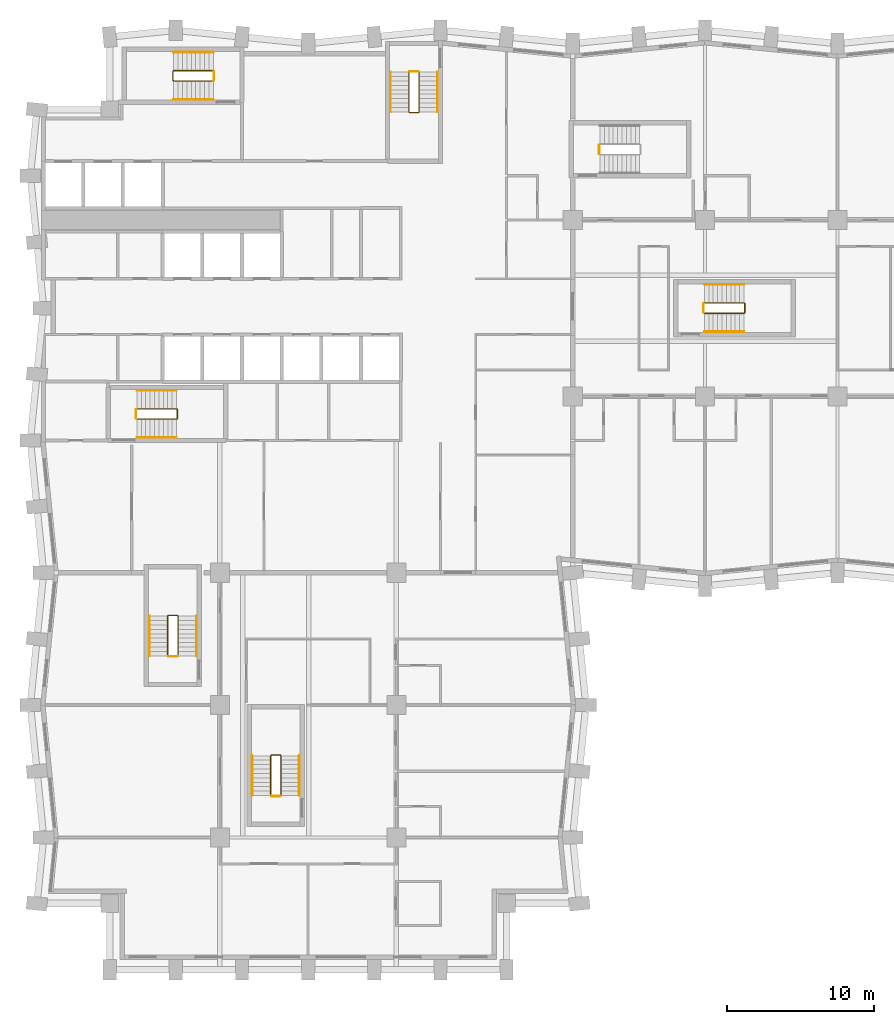
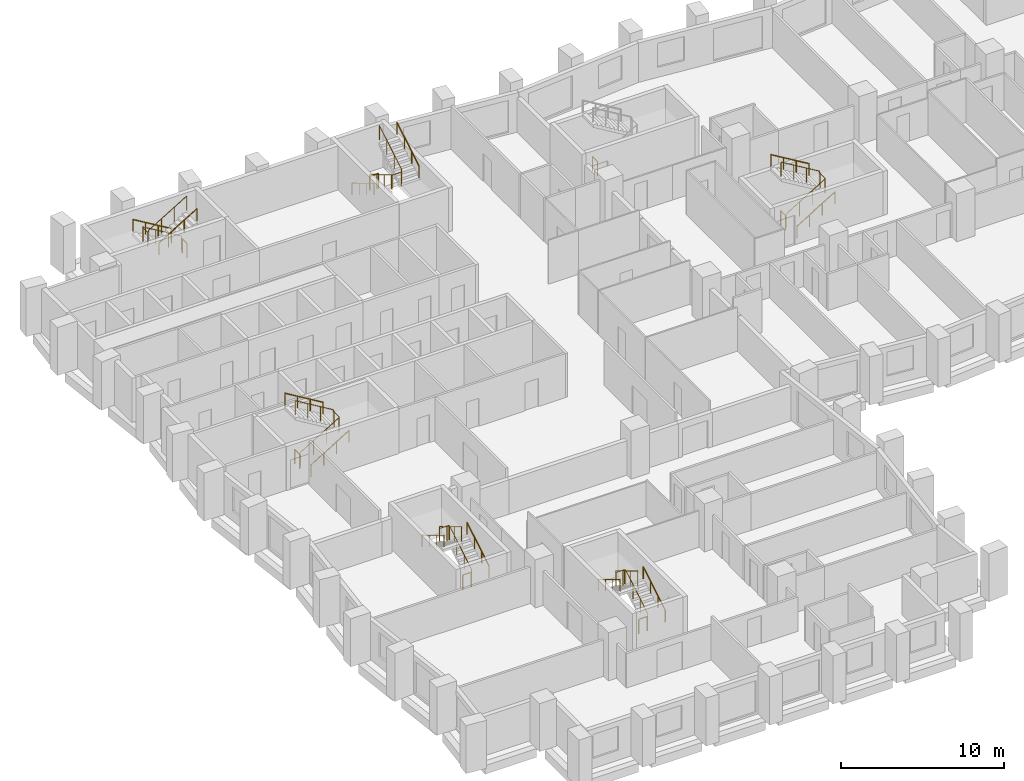
# One storey, part 11 of 12: 25 railings.
"""IFC4 building model written with IfcOpenShell, lengths in metres."""

from ifc_helpers import new_model, si_unit, direction, frame, origin, origin_2d, place, context, subcontext, project, spatial, circle, extrude, material, type_object, element, save


model = new_model("IFC4")

# Units and contexts
model_context = context("Model", 3, precision=1e-05, world=origin(), true_north=direction((0.0, 1.0)))
body_context = subcontext(model_context, "Body", "Model", "MODEL_VIEW")
ifc_project = project(units=[si_unit("LENGTHUNIT", "METRE"), si_unit("AREAUNIT", "SQUARE_METRE"), si_unit("VOLUMEUNIT", "CUBIC_METRE"), si_unit("PLANEANGLEUNIT", "RADIAN"), si_unit("MASSUNIT", "GRAM", prefix="KILO")], contexts=[model_context])

# Site, building, storey
site_placement = place(None, origin())
site = spatial("IfcSite", under=ifc_project, at=site_placement, CompositionType="ELEMENT")
building_placement = place(site_placement, origin())
building = spatial("IfcBuilding", under=site, at=building_placement, Name="Brondeck Convention Tower", CompositionType="ELEMENT")
storey_placement = place(building_placement, frame((0.0, 0.0, 80.699951171875)))
storey = spatial("IfcBuildingStorey", under=building, at=storey_placement, Name="L18", CompositionType="ELEMENT", Elevation=80.699951171875)

# Railings
ifc_material = material(Name="Steel S355", Category="steel")
railing_type_1 = type_object("IfcRailingType", Name="Stair guard 1100", PredefinedType="GUARDRAIL", material=ifc_material)
railing_1_placement = place(storey_placement, frame((6.35009765625, 37.449951171875, 0.179931640625)))
element("IfcRailing", 1, at=railing_1_placement, inside=storey, type_object=railing_type_1, Name="L18 ST-1 stair guard 1", PredefinedType="GUARDRAIL", context=body_context, shape_type="SweptSolid", body=[
    extrude(circle(Radius=0.02392578125, at=origin_2d()), frame((0.0, 0.0, 1.076171875), z_axis=(0.857472400752, 0.0, 0.514529962148), x_axis=(0.0, 1.0, 0.0)), (0.0, 0.0, 1.0), 3.148681640625),
    extrude(circle(Radius=0.02392578125, at=origin_2d()), frame((2.699951171875, 0.0, 2.6962890625), z_axis=(0.707106781187, 0.707106781187, 0.0), x_axis=(-0.707106781187, 0.707106781187, 0.0)), (0.0, 0.0, 1.0), 0.07080078125),
    extrude(circle(Radius=0.02392578125, at=origin_2d()), frame((2.75, 0.050048828125, 2.6962890625), z_axis=(0.0, 1.0, 0.0), x_axis=(-1.0, 0.0, 0.0)), (0.0, 0.0, 1.0), 0.60009765625),
    extrude(circle(Radius=0.02392578125, at=origin_2d()), frame((2.75, 0.650146484375, 2.6962890625), z_axis=(-0.258932105505, 0.257669022063, 0.930892496375), x_axis=(-0.705375805398, -0.708833529934, 0.0)), (0.0, 0.0, 1.0), 0.193359375),
    extrude(circle(Radius=0.02392578125, at=origin_2d()), frame((2.699951171875, 0.699951171875, 2.8759765625), z_axis=(-0.857472400752, 0.0, 0.514529962148), x_axis=(0.0, -1.0, 0.0)), (0.0, 0.0, 1.0), 3.148681640625),
    extrude(circle(Radius=0.02099609375, at=origin_2d()), origin(), (0.0, 0.0, 1.0), 1.052001953125),
    extrude(circle(Radius=0.02099609375, at=origin_2d()), frame((0.89990234375, 0.0, 0.5400390625)), (0.0, 0.0, 1.0), 1.052001953125),
    extrude(circle(Radius=0.02099609375, at=origin_2d()), frame((1.800048828125, 0.0, 1.080078125)), (0.0, 0.0, 1.0), 1.052001953125),
    extrude(circle(Radius=0.02099609375, at=origin_2d()), frame((2.699951171875, 0.0, 1.6201171875)), (0.0, 0.0, 1.0), 1.052001953125),
    extrude(circle(Radius=0.02099609375, at=origin_2d()), frame((2.75, 0.050048828125, 1.6201171875)), (0.0, 0.0, 1.0), 1.052001953125),
    extrude(circle(Radius=0.02099609375, at=origin_2d()), frame((2.75, 0.650146484375, 1.6201171875)), (0.0, 0.0, 1.0), 1.052001953125),
    extrude(circle(Radius=0.02099609375, at=origin_2d()), frame((2.699951171875, 0.699951171875, 1.800048828125)), (0.0, 0.0, 1.0), 1.052001953125),
    extrude(circle(Radius=0.02099609375, at=origin_2d()), frame((1.800048828125, 0.699951171875, 2.340087890625)), (0.0, 0.0, 1.0), 1.052001953125),
    extrude(circle(Radius=0.02099609375, at=origin_2d()), frame((0.89990234375, 0.699951171875, 2.880126953125)), (0.0, 0.0, 1.0), 1.052001953125),
    extrude(circle(Radius=0.02099609375, at=origin_2d()), frame((0.0, 0.699951171875, 3.420166015625)), (0.0, 0.0, 1.0), 1.052001953125),
])
railing_2_placement = place(storey_placement, frame((6.300048828125, 37.5, 0.0)))
element("IfcRailing", 2, at=railing_2_placement, inside=storey, type_object=railing_type_1, Name="L18 ST-1 stair guard 2", PredefinedType="GUARDRAIL", context=body_context, shape_type="SweptSolid", body=[
    extrude(circle(Radius=0.02392578125, at=origin_2d()), frame((0.0, 0.0, 1.076171875), z_axis=(0.0, 1.0, 0.0), x_axis=(-1.0, 0.0, 0.0)), (0.0, 0.0, 1.0), 0.60009765625),
    extrude(circle(Radius=0.02099609375, at=origin_2d()), origin(), (0.0, 0.0, 1.0), 1.052001953125),
    extrude(circle(Radius=0.02099609375, at=origin_2d()), frame((0.0, 0.60009765625, 0.0)), (0.0, 0.0, 1.0), 1.052001953125),
])
railing_3_placement = place(storey_placement, frame((24.85009765625, 61.050048828125, 0.179931640625)))
element("IfcRailing", 3, at=railing_3_placement, inside=storey, type_object=railing_type_1, Name="L18 ST-2 stair guard 1", PredefinedType="GUARDRAIL", context=body_context, shape_type="SweptSolid", body=[
    extrude(circle(Radius=0.02392578125, at=origin_2d()), frame((0.0, 0.0, 1.076171875), z_axis=(0.0, -0.857472400752, 0.514529962148), x_axis=(1.0, 0.0, 0.0)), (0.0, 0.0, 1.0), 3.148681640625),
    extrude(circle(Radius=0.02392578125, at=origin_2d()), frame((0.0, -2.699951171875, 2.6962890625), z_axis=(0.705375805398, -0.708833529934, 0.0), x_axis=(0.708833529934, 0.705375805398, 0.0)), (0.0, 0.0, 1.0), 0.070556640625),
    extrude(circle(Radius=0.02392578125, at=origin_2d()), frame((0.0498046875, -2.75, 2.6962890625), z_axis=(1.0, 0.0, 0.0), x_axis=(0.0, 1.0, 0.0)), (0.0, 0.0, 1.0), 0.60009765625),
    extrude(circle(Radius=0.02392578125, at=origin_2d()), frame((0.64990234375, -2.75, 2.6962890625), z_axis=(0.258847668887, 0.258847668887, 0.930588936439), x_axis=(-0.707106781187, 0.707106781187, 0.0)), (0.0, 0.0, 1.0), 0.193359375),
    extrude(circle(Radius=0.02392578125, at=origin_2d()), frame((0.699951171875, -2.699951171875, 2.8759765625), z_axis=(0.0, 0.857472400752, 0.514529962148), x_axis=(-1.0, 0.0, 0.0)), (0.0, 0.0, 1.0), 3.148681640625),
    extrude(circle(Radius=0.02099609375, at=origin_2d()), origin(), (0.0, 0.0, 1.0), 1.052001953125),
    extrude(circle(Radius=0.02099609375, at=origin_2d()), frame((0.0, -0.89990234375, 0.5400390625)), (0.0, 0.0, 1.0), 1.052001953125),
    extrude(circle(Radius=0.02099609375, at=origin_2d()), frame((0.0, -1.800048828125, 1.080078125)), (0.0, 0.0, 1.0), 1.052001953125),
    extrude(circle(Radius=0.02099609375, at=origin_2d()), frame((0.0, -2.699951171875, 1.6201171875)), (0.0, 0.0, 1.0), 1.052001953125),
    extrude(circle(Radius=0.02099609375, at=origin_2d()), frame((0.0498046875, -2.75, 1.6201171875)), (0.0, 0.0, 1.0), 1.052001953125),
    extrude(circle(Radius=0.02099609375, at=origin_2d()), frame((0.64990234375, -2.75, 1.6201171875)), (0.0, 0.0, 1.0), 1.052001953125),
    extrude(circle(Radius=0.02099609375, at=origin_2d()), frame((0.699951171875, -2.699951171875, 1.800048828125)), (0.0, 0.0, 1.0), 1.052001953125),
    extrude(circle(Radius=0.02099609375, at=origin_2d()), frame((0.699951171875, -1.800048828125, 2.340087890625)), (0.0, 0.0, 1.0), 1.052001953125),
    extrude(circle(Radius=0.02099609375, at=origin_2d()), frame((0.699951171875, -0.89990234375, 2.880126953125)), (0.0, 0.0, 1.0), 1.052001953125),
    extrude(circle(Radius=0.02099609375, at=origin_2d()), frame((0.699951171875, 0.0, 3.420166015625)), (0.0, 0.0, 1.0), 1.052001953125),
])
railing_4_placement = place(storey_placement, frame((24.89990234375, 61.10009765625, 0.0)))
element("IfcRailing", 4, at=railing_4_placement, inside=storey, type_object=railing_type_1, Name="L18 ST-2 stair guard 2", PredefinedType="GUARDRAIL", context=body_context, shape_type="SweptSolid", body=[
    extrude(circle(Radius=0.02392578125, at=origin_2d()), frame((0.0, 0.0, 1.076171875), z_axis=(1.0, 0.0, 0.0), x_axis=(0.0, 1.0, 0.0)), (0.0, 0.0, 1.0), 0.60009765625),
    extrude(circle(Radius=0.02099609375, at=origin_2d()), origin(), (0.0, 0.0, 1.0), 1.052001953125),
    extrude(circle(Radius=0.02099609375, at=origin_2d()), frame((0.60009765625, 0.0, 0.0)), (0.0, 0.0, 1.0), 1.052001953125),
])
railing_5_placement = place(storey_placement, frame((11.550048828125, 61.14990234375, 0.179931640625)))
element("IfcRailing", 5, at=railing_5_placement, inside=storey, type_object=railing_type_1, Name="L18 ST-3 stair guard 1", PredefinedType="GUARDRAIL", context=body_context, shape_type="SweptSolid", body=[
    extrude(circle(Radius=0.02392578125, at=origin_2d()), frame((0.0, 0.0, 1.076171875), z_axis=(-0.857472400752, 0.0, 0.514529962148), x_axis=(0.0, -1.0, 0.0)), (0.0, 0.0, 1.0), 3.148681640625),
    extrude(circle(Radius=0.02392578125, at=origin_2d()), frame((-2.699951171875, 0.0, 2.6962890625), z_axis=(-0.708833529934, -0.705375805398, 0.0), x_axis=(0.705375805398, -0.708833529934, 0.0)), (0.0, 0.0, 1.0), 0.070556640625),
    extrude(circle(Radius=0.02392578125, at=origin_2d()), frame((-2.75, -0.0498046875, 2.6962890625), z_axis=(0.0, -1.0, 0.0), x_axis=(1.0, 0.0, 0.0)), (0.0, 0.0, 1.0), 0.60009765625),
    extrude(circle(Radius=0.02392578125, at=origin_2d()), frame((-2.75, -0.64990234375, 2.6962890625), z_axis=(0.258847668887, -0.258847668887, 0.930588936439), x_axis=(0.707106781187, 0.707106781187, 0.0)), (0.0, 0.0, 1.0), 0.193359375),
    extrude(circle(Radius=0.02392578125, at=origin_2d()), frame((-2.699951171875, -0.699951171875, 2.8759765625), z_axis=(0.857472400752, 0.0, 0.514529962148), x_axis=(0.0, 1.0, 0.0)), (0.0, 0.0, 1.0), 3.148681640625),
    extrude(circle(Radius=0.02099609375, at=origin_2d()), origin(), (0.0, 0.0, 1.0), 1.052001953125),
    extrude(circle(Radius=0.02099609375, at=origin_2d()), frame((-0.89990234375, 0.0, 0.5400390625)), (0.0, 0.0, 1.0), 1.052001953125),
    extrude(circle(Radius=0.02099609375, at=origin_2d()), frame((-1.800048828125, 0.0, 1.080078125)), (0.0, 0.0, 1.0), 1.052001953125),
    extrude(circle(Radius=0.02099609375, at=origin_2d()), frame((-2.699951171875, 0.0, 1.6201171875)), (0.0, 0.0, 1.0), 1.052001953125),
    extrude(circle(Radius=0.02099609375, at=origin_2d()), frame((-2.75, -0.0498046875, 1.6201171875)), (0.0, 0.0, 1.0), 1.052001953125),
    extrude(circle(Radius=0.02099609375, at=origin_2d()), frame((-2.75, -0.64990234375, 1.6201171875)), (0.0, 0.0, 1.0), 1.052001953125),
    extrude(circle(Radius=0.02099609375, at=origin_2d()), frame((-2.699951171875, -0.699951171875, 1.800048828125)), (0.0, 0.0, 1.0), 1.052001953125),
    extrude(circle(Radius=0.02099609375, at=origin_2d()), frame((-1.800048828125, -0.699951171875, 2.340087890625)), (0.0, 0.0, 1.0), 1.052001953125),
    extrude(circle(Radius=0.02099609375, at=origin_2d()), frame((-0.89990234375, -0.699951171875, 2.880126953125)), (0.0, 0.0, 1.0), 1.052001953125),
    extrude(circle(Radius=0.02099609375, at=origin_2d()), frame((0.0, -0.699951171875, 3.420166015625)), (0.0, 0.0, 1.0), 1.052001953125),
])
railing_6_placement = place(storey_placement, frame((11.60009765625, 61.10009765625, 0.0)))
element("IfcRailing", 6, at=railing_6_placement, inside=storey, type_object=railing_type_1, Name="L18 ST-3 stair guard 2", PredefinedType="GUARDRAIL", context=body_context, shape_type="SweptSolid", body=[
    extrude(circle(Radius=0.02392578125, at=origin_2d()), frame((0.0, 0.0, 1.076171875), z_axis=(0.0, -1.0, 0.0), x_axis=(1.0, 0.0, 0.0)), (0.0, 0.0, 1.0), 0.60009765625),
    extrude(circle(Radius=0.02099609375, at=origin_2d()), origin(), (0.0, 0.0, 1.0), 1.052001953125),
    extrude(circle(Radius=0.02099609375, at=origin_2d()), frame((0.0, -0.60009765625, 0.0)), (0.0, 0.0, 1.0), 1.052001953125),
])
railing_7_placement = place(storey_placement, frame((37.800048828125, 55.5, 0.0)))
element("IfcRailing", 7, at=railing_7_placement, inside=storey, type_object=railing_type_1, Name="L18 ST-AE stair guard 2", PredefinedType="GUARDRAIL", context=body_context, shape_type="SweptSolid", body=[
    extrude(circle(Radius=0.02392578125, at=origin_2d()), frame((0.0, 0.0, 1.076171875), z_axis=(0.0, 1.0, 0.0), x_axis=(-1.0, 0.0, 0.0)), (0.0, 0.0, 1.0), 0.60009765625),
    extrude(circle(Radius=0.02099609375, at=origin_2d()), origin(), (0.0, 0.0, 1.0), 1.052001953125),
    extrude(circle(Radius=0.02099609375, at=origin_2d()), frame((0.0, 0.60009765625, 0.0)), (0.0, 0.0, 1.0), 1.052001953125),
])
railing_8_placement = place(storey_placement, frame((9.14990234375, 21.35009765625, 0.179931640625)))
element("IfcRailing", 8, at=railing_8_placement, inside=storey, type_object=railing_type_1, Name="L18 ST-BE stair guard 1", PredefinedType="GUARDRAIL", context=body_context, shape_type="SweptSolid", body=[
    extrude(circle(Radius=0.02392578125, at=origin_2d()), frame((0.0, 0.0, 1.076171875), z_axis=(0.0, 0.857472400752, 0.514529962148), x_axis=(-1.0, 0.0, 0.0)), (0.0, 0.0, 1.0), 3.148681640625),
    extrude(circle(Radius=0.02392578125, at=origin_2d()), frame((0.0, 2.699951171875, 2.6962890625), z_axis=(-0.705375805398, 0.708833529934, 0.0), x_axis=(-0.708833529934, -0.705375805398, 0.0)), (0.0, 0.0, 1.0), 0.070556640625),
    extrude(circle(Radius=0.02392578125, at=origin_2d()), frame((-0.0498046875, 2.75, 2.6962890625), z_axis=(-1.0, 0.0, 0.0), x_axis=(0.0, -1.0, 0.0)), (0.0, 0.0, 1.0), 0.60009765625),
    extrude(circle(Radius=0.02392578125, at=origin_2d()), frame((-0.64990234375, 2.75, 2.6962890625), z_axis=(-0.258847668887, -0.258847668887, 0.930588936439), x_axis=(0.707106781187, -0.707106781187, 0.0)), (0.0, 0.0, 1.0), 0.193359375),
    extrude(circle(Radius=0.02392578125, at=origin_2d()), frame((-0.699951171875, 2.699951171875, 2.8759765625), z_axis=(0.0, -0.857472400752, 0.514529962148), x_axis=(1.0, 0.0, 0.0)), (0.0, 0.0, 1.0), 3.148681640625),
    extrude(circle(Radius=0.02099609375, at=origin_2d()), origin(), (0.0, 0.0, 1.0), 1.052001953125),
    extrude(circle(Radius=0.02099609375, at=origin_2d()), frame((0.0, 0.89990234375, 0.5400390625)), (0.0, 0.0, 1.0), 1.052001953125),
    extrude(circle(Radius=0.02099609375, at=origin_2d()), frame((0.0, 1.800048828125, 1.080078125)), (0.0, 0.0, 1.0), 1.052001953125),
    extrude(circle(Radius=0.02099609375, at=origin_2d()), frame((0.0, 2.699951171875, 1.6201171875)), (0.0, 0.0, 1.0), 1.052001953125),
    extrude(circle(Radius=0.02099609375, at=origin_2d()), frame((-0.0498046875, 2.75, 1.6201171875)), (0.0, 0.0, 1.0), 1.052001953125),
    extrude(circle(Radius=0.02099609375, at=origin_2d()), frame((-0.64990234375, 2.75, 1.6201171875)), (0.0, 0.0, 1.0), 1.052001953125),
    extrude(circle(Radius=0.02099609375, at=origin_2d()), frame((-0.699951171875, 2.699951171875, 1.800048828125)), (0.0, 0.0, 1.0), 1.052001953125),
    extrude(circle(Radius=0.02099609375, at=origin_2d()), frame((-0.699951171875, 1.800048828125, 2.340087890625)), (0.0, 0.0, 1.0), 1.052001953125),
    extrude(circle(Radius=0.02099609375, at=origin_2d()), frame((-0.699951171875, 0.89990234375, 2.880126953125)), (0.0, 0.0, 1.0), 1.052001953125),
    extrude(circle(Radius=0.02099609375, at=origin_2d()), frame((-0.699951171875, 0.0, 3.420166015625)), (0.0, 0.0, 1.0), 1.052001953125),
])
railing_9_placement = place(storey_placement, frame((9.10009765625, 21.300048828125, 0.0)))
element("IfcRailing", 9, at=railing_9_placement, inside=storey, type_object=railing_type_1, Name="L18 ST-BE stair guard 2", PredefinedType="GUARDRAIL", context=body_context, shape_type="SweptSolid", body=[
    extrude(circle(Radius=0.02392578125, at=origin_2d()), frame((0.0, 0.0, 1.076171875), z_axis=(-1.0, 0.0, 0.0), x_axis=(0.0, -1.0, 0.0)), (0.0, 0.0, 1.0), 0.60009765625),
    extrude(circle(Radius=0.02099609375, at=origin_2d()), origin(), (0.0, 0.0, 1.0), 1.052001953125),
    extrude(circle(Radius=0.02099609375, at=origin_2d()), frame((-0.60009765625, 0.0, 0.0)), (0.0, 0.0, 1.0), 1.052001953125),
])
railing_10_placement = place(storey_placement, frame((44.949951171875, 44.64990234375, 0.179931640625)))
element("IfcRailing", 10, at=railing_10_placement, inside=storey, type_object=railing_type_1, Name="L18 ST-AF stair guard 1", PredefinedType="GUARDRAIL", context=body_context, shape_type="SweptSolid", body=[
    extrude(circle(Radius=0.02392578125, at=origin_2d()), frame((0.0, 0.0, 1.076171875), z_axis=(0.857472400752, 0.0, 0.514529962148), x_axis=(0.0, 1.0, 0.0)), (0.0, 0.0, 1.0), 3.148681640625),
    extrude(circle(Radius=0.02392578125, at=origin_2d()), frame((2.699951171875, 0.0, 2.6962890625), z_axis=(0.707106781187, 0.707106781187, 0.0), x_axis=(-0.707106781187, 0.707106781187, 0.0)), (0.0, 0.0, 1.0), 0.07080078125),
    extrude(circle(Radius=0.02392578125, at=origin_2d()), frame((2.75, 0.050048828125, 2.6962890625), z_axis=(0.0, 1.0, 0.0), x_axis=(-1.0, 0.0, 0.0)), (0.0, 0.0, 1.0), 0.60009765625),
    extrude(circle(Radius=0.02392578125, at=origin_2d()), frame((2.75, 0.650146484375, 2.6962890625), z_axis=(-0.258847668887, 0.258847668887, 0.930588936439), x_axis=(-0.707106781187, -0.707106781187, 0.0)), (0.0, 0.0, 1.0), 0.193359375),
    extrude(circle(Radius=0.02392578125, at=origin_2d()), frame((2.699951171875, 0.7001953125, 2.8759765625), z_axis=(-0.857472400752, 0.0, 0.514529962148), x_axis=(0.0, -1.0, 0.0)), (0.0, 0.0, 1.0), 3.148681640625),
    extrude(circle(Radius=0.02099609375, at=origin_2d()), origin(), (0.0, 0.0, 1.0), 1.052001953125),
    extrude(circle(Radius=0.02099609375, at=origin_2d()), frame((0.89990234375, 0.0, 0.5400390625)), (0.0, 0.0, 1.0), 1.052001953125),
    extrude(circle(Radius=0.02099609375, at=origin_2d()), frame((1.800048828125, 0.0, 1.080078125)), (0.0, 0.0, 1.0), 1.052001953125),
    extrude(circle(Radius=0.02099609375, at=origin_2d()), frame((2.699951171875, 0.0, 1.6201171875)), (0.0, 0.0, 1.0), 1.052001953125),
    extrude(circle(Radius=0.02099609375, at=origin_2d()), frame((2.75, 0.050048828125, 1.6201171875)), (0.0, 0.0, 1.0), 1.052001953125),
    extrude(circle(Radius=0.02099609375, at=origin_2d()), frame((2.75, 0.650146484375, 1.6201171875)), (0.0, 0.0, 1.0), 1.052001953125),
    extrude(circle(Radius=0.02099609375, at=origin_2d()), frame((2.699951171875, 0.7001953125, 1.800048828125)), (0.0, 0.0, 1.0), 1.052001953125),
    extrude(circle(Radius=0.02099609375, at=origin_2d()), frame((1.800048828125, 0.7001953125, 2.340087890625)), (0.0, 0.0, 1.0), 1.052001953125),
    extrude(circle(Radius=0.02099609375, at=origin_2d()), frame((0.89990234375, 0.7001953125, 2.880126953125)), (0.0, 0.0, 1.0), 1.052001953125),
    extrude(circle(Radius=0.02099609375, at=origin_2d()), frame((0.0, 0.7001953125, 3.420166015625)), (0.0, 0.0, 1.0), 1.052001953125),
])
railing_11_placement = place(storey_placement, frame((44.89990234375, 44.699951171875, 0.0)))
element("IfcRailing", 11, at=railing_11_placement, inside=storey, type_object=railing_type_1, Name="L18 ST-AF stair guard 2", PredefinedType="GUARDRAIL", context=body_context, shape_type="SweptSolid", body=[
    extrude(circle(Radius=0.02392578125, at=origin_2d()), frame((0.0, 0.0, 1.076171875), z_axis=(0.0, 1.0, 0.0), x_axis=(-1.0, 0.0, 0.0)), (0.0, 0.0, 1.0), 0.60009765625),
    extrude(circle(Radius=0.02099609375, at=origin_2d()), origin(), (0.0, 0.0, 1.0), 1.052001953125),
    extrude(circle(Radius=0.02099609375, at=origin_2d()), frame((0.0, 0.60009765625, 0.0)), (0.0, 0.0, 1.0), 1.052001953125),
])
railing_12_placement = place(storey_placement, frame((16.14990234375, 11.85009765625, 0.179931640625)))
element("IfcRailing", 12, at=railing_12_placement, inside=storey, type_object=railing_type_1, Name="L18 ST-BF stair guard 1", PredefinedType="GUARDRAIL", context=body_context, shape_type="SweptSolid", body=[
    extrude(circle(Radius=0.02392578125, at=origin_2d()), frame((0.0, 0.0, 1.076171875), z_axis=(0.0, 0.857472400752, 0.514529962148), x_axis=(-1.0, 0.0, 0.0)), (0.0, 0.0, 1.0), 3.148681640625),
    extrude(circle(Radius=0.02392578125, at=origin_2d()), frame((0.0, 2.699951171875, 2.6962890625), z_axis=(-0.705375805398, 0.708833529934, 0.0), x_axis=(-0.708833529934, -0.705375805398, 0.0)), (0.0, 0.0, 1.0), 0.070556640625),
    extrude(circle(Radius=0.02392578125, at=origin_2d()), frame((-0.0498046875, 2.75, 2.6962890625), z_axis=(-1.0, 0.0, 0.0), x_axis=(0.0, -1.0, 0.0)), (0.0, 0.0, 1.0), 0.60009765625),
    extrude(circle(Radius=0.02392578125, at=origin_2d()), frame((-0.64990234375, 2.75, 2.6962890625), z_axis=(-0.258847668887, -0.258847668887, 0.930588936439), x_axis=(0.707106781187, -0.707106781187, 0.0)), (0.0, 0.0, 1.0), 0.193359375),
    extrude(circle(Radius=0.02392578125, at=origin_2d()), frame((-0.699951171875, 2.699951171875, 2.8759765625), z_axis=(0.0, -0.857472400752, 0.514529962148), x_axis=(1.0, 0.0, 0.0)), (0.0, 0.0, 1.0), 3.148681640625),
    extrude(circle(Radius=0.02099609375, at=origin_2d()), origin(), (0.0, 0.0, 1.0), 1.052001953125),
    extrude(circle(Radius=0.02099609375, at=origin_2d()), frame((0.0, 0.89990234375, 0.5400390625)), (0.0, 0.0, 1.0), 1.052001953125),
    extrude(circle(Radius=0.02099609375, at=origin_2d()), frame((0.0, 1.800048828125, 1.080078125)), (0.0, 0.0, 1.0), 1.052001953125),
    extrude(circle(Radius=0.02099609375, at=origin_2d()), frame((0.0, 2.699951171875, 1.6201171875)), (0.0, 0.0, 1.0), 1.052001953125),
    extrude(circle(Radius=0.02099609375, at=origin_2d()), frame((-0.0498046875, 2.75, 1.6201171875)), (0.0, 0.0, 1.0), 1.052001953125),
    extrude(circle(Radius=0.02099609375, at=origin_2d()), frame((-0.64990234375, 2.75, 1.6201171875)), (0.0, 0.0, 1.0), 1.052001953125),
    extrude(circle(Radius=0.02099609375, at=origin_2d()), frame((-0.699951171875, 2.699951171875, 1.800048828125)), (0.0, 0.0, 1.0), 1.052001953125),
    extrude(circle(Radius=0.02099609375, at=origin_2d()), frame((-0.699951171875, 1.800048828125, 2.340087890625)), (0.0, 0.0, 1.0), 1.052001953125),
    extrude(circle(Radius=0.02099609375, at=origin_2d()), frame((-0.699951171875, 0.89990234375, 2.880126953125)), (0.0, 0.0, 1.0), 1.052001953125),
    extrude(circle(Radius=0.02099609375, at=origin_2d()), frame((-0.699951171875, 0.0, 3.420166015625)), (0.0, 0.0, 1.0), 1.052001953125),
])
railing_13_placement = place(storey_placement, frame((16.10009765625, 11.800048828125, 0.0)))
element("IfcRailing", 13, at=railing_13_placement, inside=storey, type_object=railing_type_1, Name="L18 ST-BF stair guard 2", PredefinedType="GUARDRAIL", context=body_context, shape_type="SweptSolid", body=[
    extrude(circle(Radius=0.02392578125, at=origin_2d()), frame((0.0, 0.0, 1.076171875), z_axis=(-1.0, 0.0, 0.0), x_axis=(0.0, -1.0, 0.0)), (0.0, 0.0, 1.0), 0.60009765625),
    extrude(circle(Radius=0.02099609375, at=origin_2d()), origin(), (0.0, 0.0, 1.0), 1.052001953125),
    extrude(circle(Radius=0.02099609375, at=origin_2d()), frame((-0.60009765625, 0.0, 0.0)), (0.0, 0.0, 1.0), 1.052001953125),
])
railing_type_2 = type_object("IfcRailingType", Name="Stair handrail", PredefinedType="HANDRAIL", material=ifc_material)
railing_14_placement = place(storey_placement, frame((6.35009765625, 36.199951171875, 0.179931640625)))
element("IfcRailing", 14, at=railing_14_placement, inside=storey, type_object=railing_type_2, Name="L18 ST-1 stair handrail 1", PredefinedType="HANDRAIL", context=body_context, shape_type="SweptSolid", body=[
    extrude(circle(Radius=0.02392578125, at=origin_2d()), frame((0.0, 0.0, 0.8759765625), z_axis=(0.857472400752, 0.0, 0.514529962148), x_axis=(0.0, 1.0, 0.0)), (0.0, 0.0, 1.0), 3.148681640625),
    extrude(circle(Radius=0.02099609375, at=origin_2d()), origin(), (0.0, 0.0, 1.0), 0.851806640625),
    extrude(circle(Radius=0.02099609375, at=origin_2d()), frame((0.89990234375, 0.0, 0.5400390625)), (0.0, 0.0, 1.0), 0.851806640625),
    extrude(circle(Radius=0.02099609375, at=origin_2d()), frame((1.800048828125, 0.0, 1.080078125)), (0.0, 0.0, 1.0), 0.851806640625),
    extrude(circle(Radius=0.02099609375, at=origin_2d()), frame((2.699951171875, 0.0, 1.6201171875)), (0.0, 0.0, 1.0), 0.851806640625),
])
railing_15_placement = place(storey_placement, frame((9.050048828125, 39.39990234375, 1.97998046875)))
element("IfcRailing", 15, at=railing_15_placement, inside=storey, type_object=railing_type_2, Name="L18 ST-1 stair handrail 2", PredefinedType="HANDRAIL", context=body_context, shape_type="SweptSolid", body=[
    extrude(circle(Radius=0.02392578125, at=origin_2d()), frame((0.0, 0.0, 0.8759765625), z_axis=(-0.857472400752, 0.0, 0.514529962148), x_axis=(0.0, -1.0, 0.0)), (0.0, 0.0, 1.0), 3.148681640625),
    extrude(circle(Radius=0.02099609375, at=origin_2d()), origin(), (0.0, 0.0, 1.0), 0.851806640625),
    extrude(circle(Radius=0.02099609375, at=origin_2d()), frame((-0.89990234375, 0.0, 0.5400390625)), (0.0, 0.0, 1.0), 0.851806640625),
    extrude(circle(Radius=0.02099609375, at=origin_2d()), frame((-1.800048828125, 0.0, 1.080078125)), (0.0, 0.0, 1.0), 0.851806640625),
    extrude(circle(Radius=0.02099609375, at=origin_2d()), frame((-2.699951171875, 0.0, 1.6201171875)), (0.0, 0.0, 1.0), 0.851806640625),
])
railing_16_placement = place(storey_placement, frame((23.60009765625, 61.050048828125, 0.179931640625)))
element("IfcRailing", 16, at=railing_16_placement, inside=storey, type_object=railing_type_2, Name="L18 ST-2 stair handrail 1", PredefinedType="HANDRAIL", context=body_context, shape_type="SweptSolid", body=[
    extrude(circle(Radius=0.02392578125, at=origin_2d()), frame((0.0, 0.0, 0.8759765625), z_axis=(0.0, -0.857472400752, 0.514529962148), x_axis=(1.0, 0.0, 0.0)), (0.0, 0.0, 1.0), 3.148681640625),
    extrude(circle(Radius=0.02099609375, at=origin_2d()), origin(), (0.0, 0.0, 1.0), 0.851806640625),
    extrude(circle(Radius=0.02099609375, at=origin_2d()), frame((0.0, -0.89990234375, 0.5400390625)), (0.0, 0.0, 1.0), 0.851806640625),
    extrude(circle(Radius=0.02099609375, at=origin_2d()), frame((0.0, -1.800048828125, 1.080078125)), (0.0, 0.0, 1.0), 0.851806640625),
    extrude(circle(Radius=0.02099609375, at=origin_2d()), frame((0.0, -2.699951171875, 1.6201171875)), (0.0, 0.0, 1.0), 0.851806640625),
])
railing_17_placement = place(storey_placement, frame((26.800048828125, 58.35009765625, 1.97998046875)))
element("IfcRailing", 17, at=railing_17_placement, inside=storey, type_object=railing_type_2, Name="L18 ST-2 stair handrail 2", PredefinedType="HANDRAIL", context=body_context, shape_type="SweptSolid", body=[
    extrude(circle(Radius=0.02392578125, at=origin_2d()), frame((0.0, 0.0, 0.8759765625), z_axis=(0.0, 0.857472400752, 0.514529962148), x_axis=(-1.0, 0.0, 0.0)), (0.0, 0.0, 1.0), 3.148681640625),
    extrude(circle(Radius=0.02099609375, at=origin_2d()), origin(), (0.0, 0.0, 1.0), 0.851806640625),
    extrude(circle(Radius=0.02099609375, at=origin_2d()), frame((0.0, 0.89990234375, 0.5400390625)), (0.0, 0.0, 1.0), 0.851806640625),
    extrude(circle(Radius=0.02099609375, at=origin_2d()), frame((0.0, 1.800048828125, 1.080078125)), (0.0, 0.0, 1.0), 0.851806640625),
    extrude(circle(Radius=0.02099609375, at=origin_2d()), frame((0.0, 2.699951171875, 1.6201171875)), (0.0, 0.0, 1.0), 0.851806640625),
])
railing_18_placement = place(storey_placement, frame((11.550048828125, 62.39990234375, 0.179931640625)))
element("IfcRailing", 18, at=railing_18_placement, inside=storey, type_object=railing_type_2, Name="L18 ST-3 stair handrail 1", PredefinedType="HANDRAIL", context=body_context, shape_type="SweptSolid", body=[
    extrude(circle(Radius=0.02392578125, at=origin_2d()), frame((0.0, 0.0, 0.8759765625), z_axis=(-0.857472400752, 0.0, 0.514529962148), x_axis=(0.0, -1.0, 0.0)), (0.0, 0.0, 1.0), 3.148681640625),
    extrude(circle(Radius=0.02099609375, at=origin_2d()), origin(), (0.0, 0.0, 1.0), 0.851806640625),
    extrude(circle(Radius=0.02099609375, at=origin_2d()), frame((-0.89990234375, 0.0, 0.5400390625)), (0.0, 0.0, 1.0), 0.851806640625),
    extrude(circle(Radius=0.02099609375, at=origin_2d()), frame((-1.800048828125, 0.0, 1.080078125)), (0.0, 0.0, 1.0), 0.851806640625),
    extrude(circle(Radius=0.02099609375, at=origin_2d()), frame((-2.699951171875, 0.0, 1.6201171875)), (0.0, 0.0, 1.0), 0.851806640625),
])
railing_19_placement = place(storey_placement, frame((8.85009765625, 59.199951171875, 1.97998046875)))
element("IfcRailing", 19, at=railing_19_placement, inside=storey, type_object=railing_type_2, Name="L18 ST-3 stair handrail 2", PredefinedType="HANDRAIL", context=body_context, shape_type="SweptSolid", body=[
    extrude(circle(Radius=0.02392578125, at=origin_2d()), frame((0.0, 0.0, 0.8759765625), z_axis=(0.857472400752, 0.0, 0.514529962148), x_axis=(0.0, 1.0, 0.0)), (0.0, 0.0, 1.0), 3.148681640625),
    extrude(circle(Radius=0.02099609375, at=origin_2d()), origin(), (0.0, 0.0, 1.0), 0.851806640625),
    extrude(circle(Radius=0.02099609375, at=origin_2d()), frame((0.89990234375, 0.0, 0.5400390625)), (0.0, 0.0, 1.0), 0.851806640625),
    extrude(circle(Radius=0.02099609375, at=origin_2d()), frame((1.800048828125, 0.0, 1.080078125)), (0.0, 0.0, 1.0), 0.851806640625),
    extrude(circle(Radius=0.02099609375, at=origin_2d()), frame((2.699951171875, 0.0, 1.6201171875)), (0.0, 0.0, 1.0), 0.851806640625),
])
railing_20_placement = place(storey_placement, frame((10.39990234375, 21.35009765625, 0.179931640625)))
element("IfcRailing", 20, at=railing_20_placement, inside=storey, type_object=railing_type_2, Name="L18 ST-BE stair handrail 1", PredefinedType="HANDRAIL", context=body_context, shape_type="SweptSolid", body=[
    extrude(circle(Radius=0.02392578125, at=origin_2d()), frame((0.0, 0.0, 0.8759765625), z_axis=(0.0, 0.857472400752, 0.514529962148), x_axis=(-1.0, 0.0, 0.0)), (0.0, 0.0, 1.0), 3.148681640625),
    extrude(circle(Radius=0.02099609375, at=origin_2d()), origin(), (0.0, 0.0, 1.0), 0.851806640625),
    extrude(circle(Radius=0.02099609375, at=origin_2d()), frame((0.0, 0.89990234375, 0.5400390625)), (0.0, 0.0, 1.0), 0.851806640625),
    extrude(circle(Radius=0.02099609375, at=origin_2d()), frame((0.0, 1.800048828125, 1.080078125)), (0.0, 0.0, 1.0), 0.851806640625),
    extrude(circle(Radius=0.02099609375, at=origin_2d()), frame((0.0, 2.699951171875, 1.6201171875)), (0.0, 0.0, 1.0), 0.851806640625),
])
railing_21_placement = place(storey_placement, frame((7.199951171875, 24.050048828125, 1.97998046875)))
element("IfcRailing", 21, at=railing_21_placement, inside=storey, type_object=railing_type_2, Name="L18 ST-BE stair handrail 2", PredefinedType="HANDRAIL", context=body_context, shape_type="SweptSolid", body=[
    extrude(circle(Radius=0.02392578125, at=origin_2d()), frame((0.0, 0.0, 0.8759765625), z_axis=(0.0, -0.857472400752, 0.514529962148), x_axis=(1.0, 0.0, 0.0)), (0.0, 0.0, 1.0), 3.148681640625),
    extrude(circle(Radius=0.02099609375, at=origin_2d()), origin(), (0.0, 0.0, 1.0), 0.851806640625),
    extrude(circle(Radius=0.02099609375, at=origin_2d()), frame((0.0, -0.89990234375, 0.5400390625)), (0.0, 0.0, 1.0), 0.851806640625),
    extrude(circle(Radius=0.02099609375, at=origin_2d()), frame((0.0, -1.800048828125, 1.080078125)), (0.0, 0.0, 1.0), 0.851806640625),
    extrude(circle(Radius=0.02099609375, at=origin_2d()), frame((0.0, -2.699951171875, 1.6201171875)), (0.0, 0.0, 1.0), 0.851806640625),
])
railing_22_placement = place(storey_placement, frame((44.949951171875, 43.39990234375, 0.179931640625)))
element("IfcRailing", 22, at=railing_22_placement, inside=storey, type_object=railing_type_2, Name="L18 ST-AF stair handrail 1", PredefinedType="HANDRAIL", context=body_context, shape_type="SweptSolid", body=[
    extrude(circle(Radius=0.02392578125, at=origin_2d()), frame((0.0, 0.0, 0.8759765625), z_axis=(0.857472400752, 0.0, 0.514529962148), x_axis=(0.0, 1.0, 0.0)), (0.0, 0.0, 1.0), 3.148681640625),
    extrude(circle(Radius=0.02099609375, at=origin_2d()), origin(), (0.0, 0.0, 1.0), 0.851806640625),
    extrude(circle(Radius=0.02099609375, at=origin_2d()), frame((0.89990234375, 0.0, 0.5400390625)), (0.0, 0.0, 1.0), 0.851806640625),
    extrude(circle(Radius=0.02099609375, at=origin_2d()), frame((1.800048828125, 0.0, 1.080078125)), (0.0, 0.0, 1.0), 0.851806640625),
    extrude(circle(Radius=0.02099609375, at=origin_2d()), frame((2.699951171875, 0.0, 1.6201171875)), (0.0, 0.0, 1.0), 0.851806640625),
])
railing_23_placement = place(storey_placement, frame((47.64990234375, 46.60009765625, 1.97998046875)))
element("IfcRailing", 23, at=railing_23_placement, inside=storey, type_object=railing_type_2, Name="L18 ST-AF stair handrail 2", PredefinedType="HANDRAIL", context=body_context, shape_type="SweptSolid", body=[
    extrude(circle(Radius=0.02392578125, at=origin_2d()), frame((0.0, 0.0, 0.8759765625), z_axis=(-0.857472400752, 0.0, 0.514529962148), x_axis=(0.0, -1.0, 0.0)), (0.0, 0.0, 1.0), 3.148681640625),
    extrude(circle(Radius=0.02099609375, at=origin_2d()), origin(), (0.0, 0.0, 1.0), 0.851806640625),
    extrude(circle(Radius=0.02099609375, at=origin_2d()), frame((-0.89990234375, 0.0, 0.5400390625)), (0.0, 0.0, 1.0), 0.851806640625),
    extrude(circle(Radius=0.02099609375, at=origin_2d()), frame((-1.800048828125, 0.0, 1.080078125)), (0.0, 0.0, 1.0), 0.851806640625),
    extrude(circle(Radius=0.02099609375, at=origin_2d()), frame((-2.699951171875, 0.0, 1.6201171875)), (0.0, 0.0, 1.0), 0.851806640625),
])
railing_24_placement = place(storey_placement, frame((17.39990234375, 11.85009765625, 0.179931640625)))
element("IfcRailing", 24, at=railing_24_placement, inside=storey, type_object=railing_type_2, Name="L18 ST-BF stair handrail 1", PredefinedType="HANDRAIL", context=body_context, shape_type="SweptSolid", body=[
    extrude(circle(Radius=0.02392578125, at=origin_2d()), frame((0.0, 0.0, 0.8759765625), z_axis=(0.0, 0.857472400752, 0.514529962148), x_axis=(-1.0, 0.0, 0.0)), (0.0, 0.0, 1.0), 3.148681640625),
    extrude(circle(Radius=0.02099609375, at=origin_2d()), origin(), (0.0, 0.0, 1.0), 0.851806640625),
    extrude(circle(Radius=0.02099609375, at=origin_2d()), frame((0.0, 0.89990234375, 0.5400390625)), (0.0, 0.0, 1.0), 0.851806640625),
    extrude(circle(Radius=0.02099609375, at=origin_2d()), frame((0.0, 1.800048828125, 1.080078125)), (0.0, 0.0, 1.0), 0.851806640625),
    extrude(circle(Radius=0.02099609375, at=origin_2d()), frame((0.0, 2.699951171875, 1.6201171875)), (0.0, 0.0, 1.0), 0.851806640625),
])
railing_25_placement = place(storey_placement, frame((14.199951171875, 14.550048828125, 1.97998046875)))
element("IfcRailing", 25, at=railing_25_placement, inside=storey, type_object=railing_type_2, Name="L18 ST-BF stair handrail 2", PredefinedType="HANDRAIL", context=body_context, shape_type="SweptSolid", body=[
    extrude(circle(Radius=0.02392578125, at=origin_2d()), frame((0.0, 0.0, 0.8759765625), z_axis=(0.0, -0.857472400752, 0.514529962148), x_axis=(1.0, 0.0, 0.0)), (0.0, 0.0, 1.0), 3.148681640625),
    extrude(circle(Radius=0.02099609375, at=origin_2d()), origin(), (0.0, 0.0, 1.0), 0.851806640625),
    extrude(circle(Radius=0.02099609375, at=origin_2d()), frame((0.0, -0.89990234375, 0.5400390625)), (0.0, 0.0, 1.0), 0.851806640625),
    extrude(circle(Radius=0.02099609375, at=origin_2d()), frame((0.0, -1.800048828125, 1.080078125)), (0.0, 0.0, 1.0), 0.851806640625),
    extrude(circle(Radius=0.02099609375, at=origin_2d()), frame((0.0, -2.699951171875, 1.6201171875)), (0.0, 0.0, 1.0), 0.851806640625),
])

save(model, "model.ifc")
